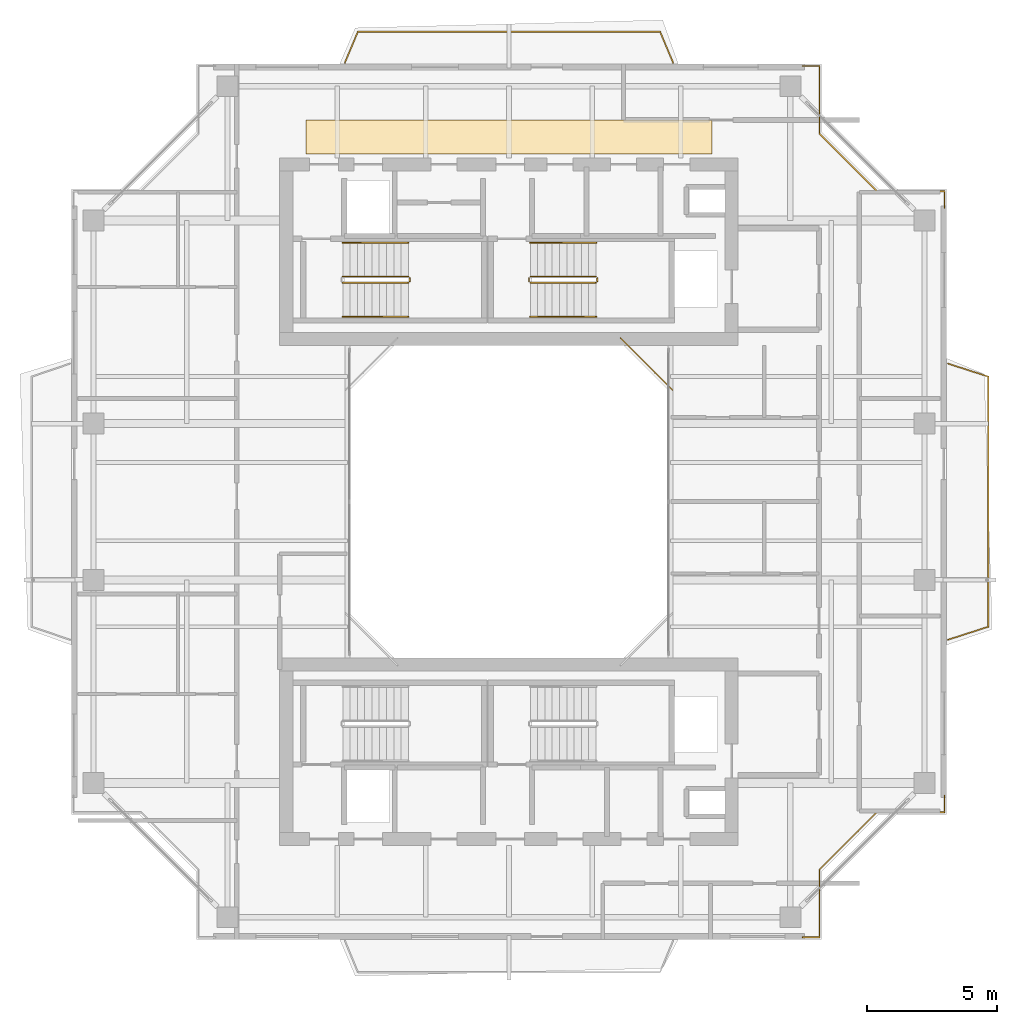
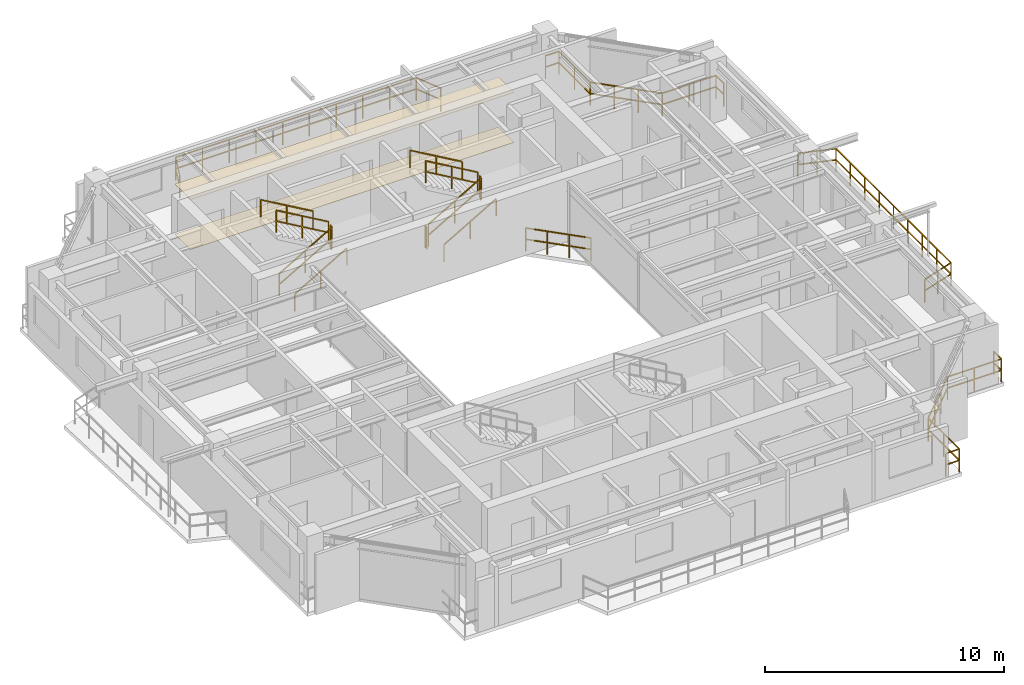
# One storey, part 15 of 15: 16 railings, 2 coverings.
"""IFC4 building model written with IfcOpenShell, lengths in metres."""

from ifc_helpers import new_model, si_unit, direction, frame, origin, origin_2d, place, context, subcontext, project, spatial, polyline, rectangle, outline, extrude, material, layer, layer_set, type_object, element, save


model = new_model("IFC4")

# Units and contexts
model_context = context("Model", 3, precision=1e-05, world=origin(), true_north=direction((0.0, 1.0)))
body_context = subcontext(model_context, "Body", "Model", "MODEL_VIEW")
ifc_project = project(units=[si_unit("LENGTHUNIT", "METRE"), si_unit("AREAUNIT", "SQUARE_METRE"), si_unit("VOLUMEUNIT", "CUBIC_METRE"), si_unit("PLANEANGLEUNIT", "RADIAN"), si_unit("MASSUNIT", "GRAM", prefix="KILO"), si_unit("THERMODYNAMICTEMPERATUREUNIT", "KELVIN"), si_unit("POWERUNIT", "WATT")], contexts=[model_context])

# Site, building, storey
site_placement = place(None, origin())
site = spatial("IfcSite", under=ifc_project, at=site_placement, CompositionType="ELEMENT")
building_placement = place(site_placement, origin())
building = spatial("IfcBuilding", under=site, at=building_placement, Name="Qiaomeng Ring Towers", CompositionType="ELEMENT")
storey_placement = place(building_placement, frame((0.0, 0.0, 200.25)))
storey = spatial("IfcBuildingStorey", under=building, at=storey_placement, Name="L58", CompositionType="ELEMENT", Elevation=200.25)

# Coverings
ifc_material_1 = material(Name="Mineral fibre acoustic ceiling tile", Category="gypsum")
ifc_layer_1 = layer(ifc_material_1, 0.02490234375, Name="Mineral fibre acoustic ceiling tile")
ifc_layer_set_1 = layer_set([ifc_layer_1], Name="Mineral fibre acoustic ceiling tile")
covering_type_1 = type_object("IfcCoveringType", Name="ARC-COV-CEIL1", PredefinedType="CEILING", material=ifc_layer_set_1)
covering_1_placement = place(storey_placement, frame((0.0, 0.0, 2.550048828125)))
element("IfcCovering", 1, at=covering_1_placement, inside=storey, type_object=covering_type_1, Name="L58 Corridor Acoustic Ceiling", PredefinedType="CEILING", context=body_context, shape_type="SweptSolid", body=[
    extrude(outline(polyline([(11.199951171875, 36.35009765625), (11.199951171875, 37.64990234375), (26.800048828125, 37.64990234375), (26.800048828125, 36.35009765625), (11.199951171875, 36.35009765625)])), origin(), (0.0, 0.0, 1.0), 0.02490234375),
])
ifc_material_2 = material(Name="Vitrified porcelain floor tile", Category="ceramic")
ifc_layer_2 = layer(ifc_material_2, 0.02001953125, Name="Vitrified porcelain floor tile")
ifc_layer_set_2 = layer_set([ifc_layer_2], Name="Vitrified porcelain floor tile")
covering_type_2 = type_object("IfcCoveringType", Name="ARC-COV-FLR1", PredefinedType="FLOORING", material=ifc_layer_set_2)
covering_2_placement = place(storey_placement, origin())
element("IfcCovering", 2, at=covering_2_placement, inside=storey, type_object=covering_type_2, Name="L58 Corridor Stone Flooring", PredefinedType="FLOORING", context=body_context, shape_type="SweptSolid", body=[
    extrude(outline(polyline([(11.199951171875, 36.35009765625), (11.199951171875, 37.64990234375), (26.800048828125, 37.64990234375), (26.800048828125, 36.35009765625), (11.199951171875, 36.35009765625)])), origin(), (0.0, 0.0, 1.0), 0.02001953125),
])

# Railings
ifc_material_3 = material(Name="Low-E pale-green laminated safety glass", Category="glass")
railing_type_1 = type_object("IfcRailingType", Name="ARC-RL-BAL1", PredefinedType="BALUSTRADE", material=ifc_material_3)
railing_1_placement = place(storey_placement, frame((25.280029296875, 27.280029296875, 0.0)))
element("IfcRailing", 3, at=railing_1_placement, inside=storey, type_object=railing_type_1, Name="L58 Balustrade ARC-BAL-WELL1-L58-2", PredefinedType="BALUSTRADE", context=body_context, shape_type="SweptSolid", body=[
    extrude(rectangle(XDim=0.048095703125, YDim=0.048095703125, at=origin_2d()), frame((0.0, 0.0, 1.17578125), z_axis=(-0.707106781187, 0.707106781187, 0.0), x_axis=(-0.707106781187, -0.707106781187, 0.0)), (0.0, 0.0, 1.0), 2.828369140625),
    extrude(rectangle(XDim=0.048095703125, YDim=0.048095703125, at=origin_2d()), frame((0.0, 0.0, 0.60009765625), z_axis=(-0.707106781187, 0.707106781187, 0.0), x_axis=(-0.707106781187, -0.707106781187, 0.0)), (0.0, 0.0, 1.0), 2.828369140625),
    extrude(rectangle(XDim=0.0419921875, YDim=0.0419921875, at=origin_2d()), origin(), (0.0, 0.0, 1.0), 1.15185546875),
    extrude(rectangle(XDim=0.0419921875, YDim=0.0419921875, at=origin_2d()), frame((-0.666748046875, 0.666748046875, 0.0)), (0.0, 0.0, 1.0), 1.15185546875),
    extrude(rectangle(XDim=0.0419921875, YDim=0.0419921875, at=origin_2d()), frame((-1.333251953125, 1.333251953125, 0.0)), (0.0, 0.0, 1.0), 1.15185546875),
    extrude(rectangle(XDim=0.0419921875, YDim=0.0419921875, at=origin_2d()), frame((-2.0, 2.0, 0.0)), (0.0, 0.0, 1.0), 1.15185546875),
])
railing_2_placement = place(storey_placement, frame((30.27001953125, 6.280029296875, 0.0)))
element("IfcRailing", 4, at=railing_2_placement, inside=storey, type_object=railing_type_1, Name="L58 Balustrade ARC-BAL-NOTCH1-L58-SE", PredefinedType="BALUSTRADE", context=body_context, shape_type="SweptSolid", body=[
    extrude(rectangle(XDim=0.048095703125, YDim=0.048095703125, at=origin_2d()), frame((0.0, 0.0, 1.17578125), z_axis=(1.0, 0.0, 0.0), x_axis=(0.0, 1.0, 0.0)), (0.0, 0.0, 1.0), 0.64990234375),
    extrude(rectangle(XDim=0.048095703125, YDim=0.048095703125, at=origin_2d()), frame((0.0, 0.0, 0.60009765625), z_axis=(1.0, 0.0, 0.0), x_axis=(0.0, 1.0, 0.0)), (0.0, 0.0, 1.0), 0.64990234375),
    extrude(rectangle(XDim=0.048095703125, YDim=0.048095703125, at=origin_2d()), frame((0.64990234375, 0.0, 1.17578125), z_axis=(0.0, 1.0, 0.0), x_axis=(-1.0, 0.0, 0.0)), (0.0, 0.0, 1.0), 2.599853515625),
    extrude(rectangle(XDim=0.048095703125, YDim=0.048095703125, at=origin_2d()), frame((0.64990234375, 0.0, 0.60009765625), z_axis=(0.0, 1.0, 0.0), x_axis=(-1.0, 0.0, 0.0)), (0.0, 0.0, 1.0), 2.599853515625),
    extrude(rectangle(XDim=0.048095703125, YDim=0.048095703125, at=origin_2d()), frame((0.64990234375, 2.599853515625, 1.17578125), z_axis=(0.707106781187, 0.707106781187, 0.0), x_axis=(-0.707106781187, 0.707106781187, 0.0)), (0.0, 0.0, 1.0), 3.111572265625),
    extrude(rectangle(XDim=0.048095703125, YDim=0.048095703125, at=origin_2d()), frame((0.64990234375, 2.599853515625, 0.60009765625), z_axis=(0.707106781187, 0.707106781187, 0.0), x_axis=(-0.707106781187, 0.707106781187, 0.0)), (0.0, 0.0, 1.0), 3.111572265625),
    extrude(rectangle(XDim=0.048095703125, YDim=0.048095703125, at=origin_2d()), frame((2.85009765625, 4.800048828125, 1.17578125), z_axis=(1.0, 0.0, 0.0), x_axis=(0.0, 1.0, 0.0)), (0.0, 0.0, 1.0), 2.599853515625),
    extrude(rectangle(XDim=0.048095703125, YDim=0.048095703125, at=origin_2d()), frame((2.85009765625, 4.800048828125, 0.60009765625), z_axis=(1.0, 0.0, 0.0), x_axis=(0.0, 1.0, 0.0)), (0.0, 0.0, 1.0), 2.599853515625),
    extrude(rectangle(XDim=0.048095703125, YDim=0.048095703125, at=origin_2d()), frame((5.449951171875, 4.800048828125, 1.17578125), z_axis=(0.0, 1.0, 0.0), x_axis=(-1.0, 0.0, 0.0)), (0.0, 0.0, 1.0), 0.64990234375),
    extrude(rectangle(XDim=0.048095703125, YDim=0.048095703125, at=origin_2d()), frame((5.449951171875, 4.800048828125, 0.60009765625), z_axis=(0.0, 1.0, 0.0), x_axis=(-1.0, 0.0, 0.0)), (0.0, 0.0, 1.0), 0.64990234375),
    extrude(rectangle(XDim=0.0419921875, YDim=0.0419921875, at=origin_2d()), origin(), (0.0, 0.0, 1.0), 1.15185546875),
    extrude(rectangle(XDim=0.0419921875, YDim=0.0419921875, at=origin_2d()), frame((0.64990234375, 0.0, 0.0)), (0.0, 0.0, 1.0), 1.15185546875),
    extrude(rectangle(XDim=0.0419921875, YDim=0.0419921875, at=origin_2d()), frame((0.64990234375, 1.2998046875, 0.0)), (0.0, 0.0, 1.0), 1.15185546875),
    extrude(rectangle(XDim=0.0419921875, YDim=0.0419921875, at=origin_2d()), frame((0.64990234375, 2.599853515625, 0.0)), (0.0, 0.0, 1.0), 1.15185546875),
    extrude(rectangle(XDim=0.0419921875, YDim=0.0419921875, at=origin_2d()), frame((1.38330078125, 3.333251953125, 0.0)), (0.0, 0.0, 1.0), 1.15185546875),
    extrude(rectangle(XDim=0.0419921875, YDim=0.0419921875, at=origin_2d()), frame((2.11669921875, 4.066650390625, 0.0)), (0.0, 0.0, 1.0), 1.15185546875),
    extrude(rectangle(XDim=0.0419921875, YDim=0.0419921875, at=origin_2d()), frame((2.85009765625, 4.800048828125, 0.0)), (0.0, 0.0, 1.0), 1.15185546875),
    extrude(rectangle(XDim=0.0419921875, YDim=0.0419921875, at=origin_2d()), frame((4.14990234375, 4.800048828125, 0.0)), (0.0, 0.0, 1.0), 1.15185546875),
    extrude(rectangle(XDim=0.0419921875, YDim=0.0419921875, at=origin_2d()), frame((5.449951171875, 4.800048828125, 0.0)), (0.0, 0.0, 1.0), 1.15185546875),
    extrude(rectangle(XDim=0.0419921875, YDim=0.0419921875, at=origin_2d()), frame((5.449951171875, 5.449951171875, 0.0)), (0.0, 0.0, 1.0), 1.15185546875),
])
railing_3_placement = place(storey_placement, frame((35.719970703125, 34.27001953125, 0.0)))
element("IfcRailing", 5, at=railing_3_placement, inside=storey, type_object=railing_type_1, Name="L58 Balustrade ARC-BAL-NOTCH1-L58-NE", PredefinedType="BALUSTRADE", context=body_context, shape_type="SweptSolid", body=[
    extrude(rectangle(XDim=0.048095703125, YDim=0.048095703125, at=origin_2d()), frame((0.0, 0.0, 1.17578125), z_axis=(0.0, 1.0, 0.0), x_axis=(-1.0, 0.0, 0.0)), (0.0, 0.0, 1.0), 0.64990234375),
    extrude(rectangle(XDim=0.048095703125, YDim=0.048095703125, at=origin_2d()), frame((0.0, 0.0, 0.60009765625), z_axis=(0.0, 1.0, 0.0), x_axis=(-1.0, 0.0, 0.0)), (0.0, 0.0, 1.0), 0.64990234375),
    extrude(rectangle(XDim=0.048095703125, YDim=0.048095703125, at=origin_2d()), frame((0.0, 0.64990234375, 1.17578125), z_axis=(-1.0, 0.0, 0.0), x_axis=(0.0, -1.0, 0.0)), (0.0, 0.0, 1.0), 2.599853515625),
    extrude(rectangle(XDim=0.048095703125, YDim=0.048095703125, at=origin_2d()), frame((0.0, 0.64990234375, 0.60009765625), z_axis=(-1.0, 0.0, 0.0), x_axis=(0.0, -1.0, 0.0)), (0.0, 0.0, 1.0), 2.599853515625),
    extrude(rectangle(XDim=0.048095703125, YDim=0.048095703125, at=origin_2d()), frame((-2.599853515625, 0.64990234375, 1.17578125), z_axis=(-0.707106781187, 0.707106781187, 0.0), x_axis=(-0.707106781187, -0.707106781187, 0.0)), (0.0, 0.0, 1.0), 3.111572265625),
    extrude(rectangle(XDim=0.048095703125, YDim=0.048095703125, at=origin_2d()), frame((-2.599853515625, 0.64990234375, 0.60009765625), z_axis=(-0.707106781187, 0.707106781187, 0.0), x_axis=(-0.707106781187, -0.707106781187, 0.0)), (0.0, 0.0, 1.0), 3.111572265625),
    extrude(rectangle(XDim=0.048095703125, YDim=0.048095703125, at=origin_2d()), frame((-4.800048828125, 2.85009765625, 1.17578125), z_axis=(0.0, 1.0, 0.0), x_axis=(-1.0, 0.0, 0.0)), (0.0, 0.0, 1.0), 2.599853515625),
    extrude(rectangle(XDim=0.048095703125, YDim=0.048095703125, at=origin_2d()), frame((-4.800048828125, 2.85009765625, 0.60009765625), z_axis=(0.0, 1.0, 0.0), x_axis=(-1.0, 0.0, 0.0)), (0.0, 0.0, 1.0), 2.599853515625),
    extrude(rectangle(XDim=0.048095703125, YDim=0.048095703125, at=origin_2d()), frame((-4.800048828125, 5.449951171875, 1.17578125), z_axis=(-1.0, 0.0, 0.0), x_axis=(0.0, -1.0, 0.0)), (0.0, 0.0, 1.0), 0.64990234375),
    extrude(rectangle(XDim=0.048095703125, YDim=0.048095703125, at=origin_2d()), frame((-4.800048828125, 5.449951171875, 0.60009765625), z_axis=(-1.0, 0.0, 0.0), x_axis=(0.0, -1.0, 0.0)), (0.0, 0.0, 1.0), 0.64990234375),
    extrude(rectangle(XDim=0.0419921875, YDim=0.0419921875, at=origin_2d()), origin(), (0.0, 0.0, 1.0), 1.15185546875),
    extrude(rectangle(XDim=0.0419921875, YDim=0.0419921875, at=origin_2d()), frame((0.0, 0.64990234375, 0.0)), (0.0, 0.0, 1.0), 1.15185546875),
    extrude(rectangle(XDim=0.0419921875, YDim=0.0419921875, at=origin_2d()), frame((-1.2998046875, 0.64990234375, 0.0)), (0.0, 0.0, 1.0), 1.15185546875),
    extrude(rectangle(XDim=0.0419921875, YDim=0.0419921875, at=origin_2d()), frame((-2.599853515625, 0.64990234375, 0.0)), (0.0, 0.0, 1.0), 1.15185546875),
    extrude(rectangle(XDim=0.0419921875, YDim=0.0419921875, at=origin_2d()), frame((-3.333251953125, 1.38330078125, 0.0)), (0.0, 0.0, 1.0), 1.15185546875),
    extrude(rectangle(XDim=0.0419921875, YDim=0.0419921875, at=origin_2d()), frame((-4.066650390625, 2.11669921875, 0.0)), (0.0, 0.0, 1.0), 1.15185546875),
    extrude(rectangle(XDim=0.0419921875, YDim=0.0419921875, at=origin_2d()), frame((-4.800048828125, 2.85009765625, 0.0)), (0.0, 0.0, 1.0), 1.15185546875),
    extrude(rectangle(XDim=0.0419921875, YDim=0.0419921875, at=origin_2d()), frame((-4.800048828125, 4.14990234375, 0.0)), (0.0, 0.0, 1.0), 1.15185546875),
    extrude(rectangle(XDim=0.0419921875, YDim=0.0419921875, at=origin_2d()), frame((-4.800048828125, 5.449951171875, 0.0)), (0.0, 0.0, 1.0), 1.15185546875),
    extrude(rectangle(XDim=0.0419921875, YDim=0.0419921875, at=origin_2d()), frame((-5.449951171875, 5.449951171875, 0.0)), (0.0, 0.0, 1.0), 1.15185546875),
])
railing_4_placement = place(storey_placement, frame((35.85009765625, 17.699951171875, 0.0)))
element("IfcRailing", 6, at=railing_4_placement, inside=storey, type_object=railing_type_1, Name="L58 Balustrade ARC-BAL-L58-T1-E", PredefinedType="BALUSTRADE", context=body_context, shape_type="SweptSolid", body=[
    extrude(rectangle(XDim=0.048095703125, YDim=0.048095703125, at=origin_2d()), frame((0.0, 0.0, 1.17578125), z_axis=(0.951697313001, 0.307037822468, 0.0), x_axis=(-0.307037822468, 0.951697313001, 0.0)), (0.0, 0.0, 1.0), 1.62841796875),
    extrude(rectangle(XDim=0.048095703125, YDim=0.048095703125, at=origin_2d()), frame((0.0, 0.0, 0.60009765625), z_axis=(0.951697313001, 0.307037822468, 0.0), x_axis=(-0.307037822468, 0.951697313001, 0.0)), (0.0, 0.0, 1.0), 1.62841796875),
    extrude(rectangle(XDim=0.048095703125, YDim=0.048095703125, at=origin_2d()), frame((1.5498046875, 0.5, 1.17578125), z_axis=(0.0, 1.0, 0.0), x_axis=(-1.0, 0.0, 0.0)), (0.0, 0.0, 1.0), 9.60009765625),
    extrude(rectangle(XDim=0.048095703125, YDim=0.048095703125, at=origin_2d()), frame((1.5498046875, 0.5, 0.60009765625), z_axis=(0.0, 1.0, 0.0), x_axis=(-1.0, 0.0, 0.0)), (0.0, 0.0, 1.0), 9.60009765625),
    extrude(rectangle(XDim=0.048095703125, YDim=0.048095703125, at=origin_2d()), frame((1.5498046875, 10.10009765625, 1.17578125), z_axis=(-0.951697313001, 0.307037822468, 0.0), x_axis=(-0.307037822468, -0.951697313001, 0.0)), (0.0, 0.0, 1.0), 1.62841796875),
    extrude(rectangle(XDim=0.048095703125, YDim=0.048095703125, at=origin_2d()), frame((1.5498046875, 10.10009765625, 0.60009765625), z_axis=(-0.951697313001, 0.307037822468, 0.0), x_axis=(-0.307037822468, -0.951697313001, 0.0)), (0.0, 0.0, 1.0), 1.62841796875),
    extrude(rectangle(XDim=0.0419921875, YDim=0.0419921875, at=origin_2d()), origin(), (0.0, 0.0, 1.0), 1.15185546875),
    extrude(rectangle(XDim=0.0419921875, YDim=0.0419921875, at=origin_2d()), frame((0.77490234375, 0.25, 0.0)), (0.0, 0.0, 1.0), 1.15185546875),
    extrude(rectangle(XDim=0.0419921875, YDim=0.0419921875, at=origin_2d()), frame((1.5498046875, 0.5, 0.0)), (0.0, 0.0, 1.0), 1.15185546875),
    extrude(rectangle(XDim=0.0419921875, YDim=0.0419921875, at=origin_2d()), frame((1.5498046875, 1.699951171875, 0.0)), (0.0, 0.0, 1.0), 1.15185546875),
    extrude(rectangle(XDim=0.0419921875, YDim=0.0419921875, at=origin_2d()), frame((1.5498046875, 2.89990234375, 0.0)), (0.0, 0.0, 1.0), 1.15185546875),
    extrude(rectangle(XDim=0.0419921875, YDim=0.0419921875, at=origin_2d()), frame((1.5498046875, 4.10009765625, 0.0)), (0.0, 0.0, 1.0), 1.15185546875),
    extrude(rectangle(XDim=0.0419921875, YDim=0.0419921875, at=origin_2d()), frame((1.5498046875, 5.300048828125, 0.0)), (0.0, 0.0, 1.0), 1.15185546875),
    extrude(rectangle(XDim=0.0419921875, YDim=0.0419921875, at=origin_2d()), frame((1.5498046875, 6.5, 0.0)), (0.0, 0.0, 1.0), 1.15185546875),
    extrude(rectangle(XDim=0.0419921875, YDim=0.0419921875, at=origin_2d()), frame((1.5498046875, 7.7001953125, 0.0)), (0.0, 0.0, 1.0), 1.15185546875),
    extrude(rectangle(XDim=0.0419921875, YDim=0.0419921875, at=origin_2d()), frame((1.5498046875, 8.900146484375, 0.0)), (0.0, 0.0, 1.0), 1.15185546875),
    extrude(rectangle(XDim=0.0419921875, YDim=0.0419921875, at=origin_2d()), frame((1.5498046875, 10.10009765625, 0.0)), (0.0, 0.0, 1.0), 1.15185546875),
    extrude(rectangle(XDim=0.0419921875, YDim=0.0419921875, at=origin_2d()), frame((0.77490234375, 10.35009765625, 0.0)), (0.0, 0.0, 1.0), 1.15185546875),
    extrude(rectangle(XDim=0.0419921875, YDim=0.0419921875, at=origin_2d()), frame((0.0, 10.60009765625, 0.0)), (0.0, 0.0, 1.0), 1.15185546875),
])
railing_5_placement = place(storey_placement, frame((12.699951171875, 39.85009765625, 0.0)))
element("IfcRailing", 7, at=railing_5_placement, inside=storey, type_object=railing_type_1, Name="L58 Balustrade ARC-BAL-L58-T1-N", PredefinedType="BALUSTRADE", context=body_context, shape_type="SweptSolid", body=[
    extrude(rectangle(XDim=0.048095703125, YDim=0.048095703125, at=origin_2d()), frame((0.0, 0.0, 1.17578125), z_axis=(0.387380404006, 0.921919965394, 0.0), x_axis=(-0.921919965394, 0.387380404006, 0.0)), (0.0, 0.0, 1.0), 1.290771484375),
    extrude(rectangle(XDim=0.048095703125, YDim=0.048095703125, at=origin_2d()), frame((0.0, 0.0, 0.60009765625), z_axis=(0.387380404006, 0.921919965394, 0.0), x_axis=(-0.921919965394, 0.387380404006, 0.0)), (0.0, 0.0, 1.0), 1.290771484375),
    extrude(rectangle(XDim=0.048095703125, YDim=0.048095703125, at=origin_2d()), frame((0.5, 1.18994140625, 1.17578125), z_axis=(1.0, 0.0, 0.0), x_axis=(0.0, 1.0, 0.0)), (0.0, 0.0, 1.0), 11.60009765625),
    extrude(rectangle(XDim=0.048095703125, YDim=0.048095703125, at=origin_2d()), frame((0.5, 1.18994140625, 0.60009765625), z_axis=(1.0, 0.0, 0.0), x_axis=(0.0, 1.0, 0.0)), (0.0, 0.0, 1.0), 11.60009765625),
    extrude(rectangle(XDim=0.048095703125, YDim=0.048095703125, at=origin_2d()), frame((12.10009765625, 1.18994140625, 1.17578125), z_axis=(0.387380404006, -0.921919965394, 0.0), x_axis=(0.921919965394, 0.387380404006, 0.0)), (0.0, 0.0, 1.0), 1.290771484375),
    extrude(rectangle(XDim=0.048095703125, YDim=0.048095703125, at=origin_2d()), frame((12.10009765625, 1.18994140625, 0.60009765625), z_axis=(0.387380404006, -0.921919965394, 0.0), x_axis=(0.921919965394, 0.387380404006, 0.0)), (0.0, 0.0, 1.0), 1.290771484375),
    extrude(rectangle(XDim=0.0419921875, YDim=0.0419921875, at=origin_2d()), origin(), (0.0, 0.0, 1.0), 1.15185546875),
    extrude(rectangle(XDim=0.0419921875, YDim=0.0419921875, at=origin_2d()), frame((0.5, 1.18994140625, 0.0)), (0.0, 0.0, 1.0), 1.15185546875),
    extrude(rectangle(XDim=0.0419921875, YDim=0.0419921875, at=origin_2d()), frame((1.788818359375, 1.18994140625, 0.0)), (0.0, 0.0, 1.0), 1.15185546875),
    extrude(rectangle(XDim=0.0419921875, YDim=0.0419921875, at=origin_2d()), frame((3.077880859375, 1.18994140625, 0.0)), (0.0, 0.0, 1.0), 1.15185546875),
    extrude(rectangle(XDim=0.0419921875, YDim=0.0419921875, at=origin_2d()), frame((4.36669921875, 1.18994140625, 0.0)), (0.0, 0.0, 1.0), 1.15185546875),
    extrude(rectangle(XDim=0.0419921875, YDim=0.0419921875, at=origin_2d()), frame((5.655517578125, 1.18994140625, 0.0)), (0.0, 0.0, 1.0), 1.15185546875),
    extrude(rectangle(XDim=0.0419921875, YDim=0.0419921875, at=origin_2d()), frame((6.944580078125, 1.18994140625, 0.0)), (0.0, 0.0, 1.0), 1.15185546875),
    extrude(rectangle(XDim=0.0419921875, YDim=0.0419921875, at=origin_2d()), frame((8.2333984375, 1.18994140625, 0.0)), (0.0, 0.0, 1.0), 1.15185546875),
    extrude(rectangle(XDim=0.0419921875, YDim=0.0419921875, at=origin_2d()), frame((9.522216796875, 1.18994140625, 0.0)), (0.0, 0.0, 1.0), 1.15185546875),
    extrude(rectangle(XDim=0.0419921875, YDim=0.0419921875, at=origin_2d()), frame((10.811279296875, 1.18994140625, 0.0)), (0.0, 0.0, 1.0), 1.15185546875),
    extrude(rectangle(XDim=0.0419921875, YDim=0.0419921875, at=origin_2d()), frame((12.10009765625, 1.18994140625, 0.0)), (0.0, 0.0, 1.0), 1.15185546875),
    extrude(rectangle(XDim=0.0419921875, YDim=0.0419921875, at=origin_2d()), frame((12.60009765625, 0.0, 0.0)), (0.0, 0.0, 1.0), 1.15185546875),
])
ifc_material_4 = material(Name="Galvanised steel", Category="steel")
railing_type_2 = type_object("IfcRailingType", Name="ARC-RL-GUARD", PredefinedType="GUARDRAIL", material=ifc_material_4)
railing_6_placement = place(storey_placement, frame((12.6201171875, 31.39990234375, 0.16259765625)))
element("IfcRailing", 8, at=railing_6_placement, inside=storey, type_object=railing_type_2, Name="L58 ST1 stair guard 1", PredefinedType="GUARDRAIL", context=body_context, shape_type="SweptSolid", body=[
    extrude(rectangle(XDim=0.048095703125, YDim=0.048095703125, at=origin_2d()), frame((0.0, 0.0, 1.1259765625), z_axis=(0.864892226395, 0.0, 0.501957604506), x_axis=(0.0, 1.0, 0.0)), (0.0, 0.0, 1.0), 2.913330078125),
    extrude(rectangle(XDim=0.048095703125, YDim=0.048095703125, at=origin_2d()), frame((0.0, 0.0, 0.574951171875), z_axis=(0.864892226395, 0.0, 0.501957604506), x_axis=(0.0, 1.0, 0.0)), (0.0, 0.0, 1.0), 2.913330078125),
    extrude(rectangle(XDim=0.0419921875, YDim=0.0419921875, at=origin_2d()), origin(), (0.0, 0.0, 1.0), 1.101806640625),
    extrude(rectangle(XDim=0.0419921875, YDim=0.0419921875, at=origin_2d()), frame((1.259765625, 0.0, 0.731201171875)), (0.0, 0.0, 1.0), 1.101806640625),
    extrude(rectangle(XDim=0.0419921875, YDim=0.0419921875, at=origin_2d()), frame((2.519775390625, 0.0, 1.46240234375)), (0.0, 0.0, 1.0), 1.101806640625),
])
railing_7_placement = place(storey_placement, frame((15.18994140625, 31.449951171875, 1.625)))
element("IfcRailing", 9, at=railing_7_placement, inside=storey, type_object=railing_type_2, Name="L58 ST1 stair guard 2", PredefinedType="GUARDRAIL", context=body_context, shape_type="SweptSolid", body=[
    extrude(rectangle(XDim=0.048095703125, YDim=0.048095703125, at=origin_2d()), frame((0.0, 0.0, 1.1259765625), z_axis=(0.0, 1.0, 0.0), x_axis=(-1.0, 0.0, 0.0)), (0.0, 0.0, 1.0), 0.14013671875),
    extrude(rectangle(XDim=0.048095703125, YDim=0.048095703125, at=origin_2d()), frame((0.0, 0.0, 0.574951171875), z_axis=(0.0, 1.0, 0.0), x_axis=(-1.0, 0.0, 0.0)), (0.0, 0.0, 1.0), 0.14013671875),
    extrude(rectangle(XDim=0.0419921875, YDim=0.0419921875, at=origin_2d()), origin(), (0.0, 0.0, 1.0), 1.101806640625),
    extrude(rectangle(XDim=0.0419921875, YDim=0.0419921875, at=origin_2d()), frame((0.0, 0.14013671875, 0.0)), (0.0, 0.0, 1.0), 1.101806640625),
])
railing_8_placement = place(storey_placement, frame((15.139892578125, 31.639892578125, 1.78759765625)))
element("IfcRailing", 10, at=railing_8_placement, inside=storey, type_object=railing_type_2, Name="L58 ST1 stair guard 3", PredefinedType="GUARDRAIL", context=body_context, shape_type="SweptSolid", body=[
    extrude(rectangle(XDim=0.048095703125, YDim=0.048095703125, at=origin_2d()), frame((0.0, 0.0, 1.1259765625), z_axis=(-0.864892226395, 0.0, 0.501957604506), x_axis=(0.0, -1.0, 0.0)), (0.0, 0.0, 1.0), 2.913330078125),
    extrude(rectangle(XDim=0.048095703125, YDim=0.048095703125, at=origin_2d()), frame((0.0, 0.0, 0.574951171875), z_axis=(-0.864892226395, 0.0, 0.501957604506), x_axis=(0.0, -1.0, 0.0)), (0.0, 0.0, 1.0), 2.913330078125),
    extrude(rectangle(XDim=0.0419921875, YDim=0.0419921875, at=origin_2d()), origin(), (0.0, 0.0, 1.0), 1.101806640625),
    extrude(rectangle(XDim=0.0419921875, YDim=0.0419921875, at=origin_2d()), frame((-1.259765625, 0.0, 0.731201171875)), (0.0, 0.0, 1.0), 1.101806640625),
    extrude(rectangle(XDim=0.0419921875, YDim=0.0419921875, at=origin_2d()), frame((-2.519775390625, 0.0, 1.46240234375)), (0.0, 0.0, 1.0), 1.101806640625),
])
railing_9_placement = place(storey_placement, frame((19.820068359375, 31.39990234375, 0.16259765625)))
element("IfcRailing", 11, at=railing_9_placement, inside=storey, type_object=railing_type_2, Name="L58 ST2 stair guard 1", PredefinedType="GUARDRAIL", context=body_context, shape_type="SweptSolid", body=[
    extrude(rectangle(XDim=0.048095703125, YDim=0.048095703125, at=origin_2d()), frame((0.0, 0.0, 1.1259765625), z_axis=(0.864913338283, 0.0, 0.50192122615), x_axis=(0.0, 1.0, 0.0)), (0.0, 0.0, 1.0), 2.91357421875),
    extrude(rectangle(XDim=0.048095703125, YDim=0.048095703125, at=origin_2d()), frame((0.0, 0.0, 0.574951171875), z_axis=(0.864913338283, 0.0, 0.50192122615), x_axis=(0.0, 1.0, 0.0)), (0.0, 0.0, 1.0), 2.91357421875),
    extrude(rectangle(XDim=0.0419921875, YDim=0.0419921875, at=origin_2d()), origin(), (0.0, 0.0, 1.0), 1.101806640625),
    extrude(rectangle(XDim=0.0419921875, YDim=0.0419921875, at=origin_2d()), frame((1.260009765625, 0.0, 0.731201171875)), (0.0, 0.0, 1.0), 1.101806640625),
    extrude(rectangle(XDim=0.0419921875, YDim=0.0419921875, at=origin_2d()), frame((2.52001953125, 0.0, 1.46240234375)), (0.0, 0.0, 1.0), 1.101806640625),
])
railing_10_placement = place(storey_placement, frame((22.389892578125, 31.449951171875, 1.625)))
element("IfcRailing", 12, at=railing_10_placement, inside=storey, type_object=railing_type_2, Name="L58 ST2 stair guard 2", PredefinedType="GUARDRAIL", context=body_context, shape_type="SweptSolid", body=[
    extrude(rectangle(XDim=0.048095703125, YDim=0.048095703125, at=origin_2d()), frame((0.0, 0.0, 1.1259765625), z_axis=(0.0, 1.0, 0.0), x_axis=(-1.0, 0.0, 0.0)), (0.0, 0.0, 1.0), 0.14013671875),
    extrude(rectangle(XDim=0.048095703125, YDim=0.048095703125, at=origin_2d()), frame((0.0, 0.0, 0.574951171875), z_axis=(0.0, 1.0, 0.0), x_axis=(-1.0, 0.0, 0.0)), (0.0, 0.0, 1.0), 0.14013671875),
    extrude(rectangle(XDim=0.0419921875, YDim=0.0419921875, at=origin_2d()), origin(), (0.0, 0.0, 1.0), 1.101806640625),
    extrude(rectangle(XDim=0.0419921875, YDim=0.0419921875, at=origin_2d()), frame((0.0, 0.14013671875, 0.0)), (0.0, 0.0, 1.0), 1.101806640625),
])
railing_11_placement = place(storey_placement, frame((22.340087890625, 31.639892578125, 1.78759765625)))
element("IfcRailing", 13, at=railing_11_placement, inside=storey, type_object=railing_type_2, Name="L58 ST2 stair guard 3", PredefinedType="GUARDRAIL", context=body_context, shape_type="SweptSolid", body=[
    extrude(rectangle(XDim=0.048095703125, YDim=0.048095703125, at=origin_2d()), frame((0.0, 0.0, 1.1259765625), z_axis=(-0.864913338283, 0.0, 0.50192122615), x_axis=(0.0, -1.0, 0.0)), (0.0, 0.0, 1.0), 2.91357421875),
    extrude(rectangle(XDim=0.048095703125, YDim=0.048095703125, at=origin_2d()), frame((0.0, 0.0, 0.574951171875), z_axis=(-0.864913338283, 0.0, 0.50192122615), x_axis=(0.0, -1.0, 0.0)), (0.0, 0.0, 1.0), 2.91357421875),
    extrude(rectangle(XDim=0.0419921875, YDim=0.0419921875, at=origin_2d()), origin(), (0.0, 0.0, 1.0), 1.101806640625),
    extrude(rectangle(XDim=0.0419921875, YDim=0.0419921875, at=origin_2d()), frame((-1.260009765625, 0.0, 0.731201171875)), (0.0, 0.0, 1.0), 1.101806640625),
    extrude(rectangle(XDim=0.0419921875, YDim=0.0419921875, at=origin_2d()), frame((-2.52001953125, 0.0, 1.46240234375)), (0.0, 0.0, 1.0), 1.101806640625),
])
railing_12_placement = place(storey_placement, frame((19.77001953125, 31.449951171875, 0.0)))
element("IfcRailing", 14, at=railing_12_placement, inside=storey, type_object=railing_type_2, Name="L58 ST2 stair guard 4", PredefinedType="GUARDRAIL", context=body_context, shape_type="SweptSolid", body=[
    extrude(rectangle(XDim=0.048095703125, YDim=0.048095703125, at=origin_2d()), frame((0.0, 0.0, 1.1259765625), z_axis=(0.0, 1.0, 0.0), x_axis=(-1.0, 0.0, 0.0)), (0.0, 0.0, 1.0), 0.14013671875),
    extrude(rectangle(XDim=0.048095703125, YDim=0.048095703125, at=origin_2d()), frame((0.0, 0.0, 0.574951171875), z_axis=(0.0, 1.0, 0.0), x_axis=(-1.0, 0.0, 0.0)), (0.0, 0.0, 1.0), 0.14013671875),
    extrude(rectangle(XDim=0.0419921875, YDim=0.0419921875, at=origin_2d()), origin(), (0.0, 0.0, 1.0), 1.101806640625),
    extrude(rectangle(XDim=0.0419921875, YDim=0.0419921875, at=origin_2d()), frame((0.0, 0.14013671875, 0.0)), (0.0, 0.0, 1.0), 1.101806640625),
])
ifc_material_5 = material(Name="Stainless steel 316", Category="steel")
railing_type_3 = type_object("IfcRailingType", Name="ARC-RL-HAND", PredefinedType="HANDRAIL", material=ifc_material_5)
railing_13_placement = place(storey_placement, frame((12.6201171875, 30.10009765625, 0.16259765625)))
element("IfcRailing", 15, at=railing_13_placement, inside=storey, type_object=railing_type_3, Name="L58 ST1 stair handrail 1", PredefinedType="HANDRAIL", context=body_context, shape_type="SweptSolid", body=[
    extrude(rectangle(XDim=0.048095703125, YDim=0.048095703125, at=origin_2d()), frame((0.0, 0.0, 0.8759765625), z_axis=(0.864892226395, 0.0, 0.501957604506), x_axis=(0.0, 1.0, 0.0)), (0.0, 0.0, 1.0), 2.913330078125),
    extrude(rectangle(XDim=0.0419921875, YDim=0.0419921875, at=origin_2d()), origin(), (0.0, 0.0, 1.0), 0.851806640625),
    extrude(rectangle(XDim=0.0419921875, YDim=0.0419921875, at=origin_2d()), frame((1.259765625, 0.0, 0.731201171875)), (0.0, 0.0, 1.0), 0.851806640625),
    extrude(rectangle(XDim=0.0419921875, YDim=0.0419921875, at=origin_2d()), frame((2.519775390625, 0.0, 1.46240234375)), (0.0, 0.0, 1.0), 0.851806640625),
])
railing_14_placement = place(storey_placement, frame((15.139892578125, 32.93994140625, 1.78759765625)))
element("IfcRailing", 16, at=railing_14_placement, inside=storey, type_object=railing_type_3, Name="L58 ST1 stair handrail 2", PredefinedType="HANDRAIL", context=body_context, shape_type="SweptSolid", body=[
    extrude(rectangle(XDim=0.048095703125, YDim=0.048095703125, at=origin_2d()), frame((0.0, 0.0, 0.8759765625), z_axis=(-0.864892226395, 0.0, 0.501957604506), x_axis=(0.0, -1.0, 0.0)), (0.0, 0.0, 1.0), 2.913330078125),
    extrude(rectangle(XDim=0.0419921875, YDim=0.0419921875, at=origin_2d()), origin(), (0.0, 0.0, 1.0), 0.851806640625),
    extrude(rectangle(XDim=0.0419921875, YDim=0.0419921875, at=origin_2d()), frame((-1.259765625, 0.0, 0.731201171875)), (0.0, 0.0, 1.0), 0.851806640625),
    extrude(rectangle(XDim=0.0419921875, YDim=0.0419921875, at=origin_2d()), frame((-2.519775390625, 0.0, 1.46240234375)), (0.0, 0.0, 1.0), 0.851806640625),
])
railing_15_placement = place(storey_placement, frame((19.820068359375, 30.10009765625, 0.16259765625)))
element("IfcRailing", 17, at=railing_15_placement, inside=storey, type_object=railing_type_3, Name="L58 ST2 stair handrail 1", PredefinedType="HANDRAIL", context=body_context, shape_type="SweptSolid", body=[
    extrude(rectangle(XDim=0.048095703125, YDim=0.048095703125, at=origin_2d()), frame((0.0, 0.0, 0.8759765625), z_axis=(0.864913338283, 0.0, 0.50192122615), x_axis=(0.0, 1.0, 0.0)), (0.0, 0.0, 1.0), 2.91357421875),
    extrude(rectangle(XDim=0.0419921875, YDim=0.0419921875, at=origin_2d()), origin(), (0.0, 0.0, 1.0), 0.851806640625),
    extrude(rectangle(XDim=0.0419921875, YDim=0.0419921875, at=origin_2d()), frame((1.260009765625, 0.0, 0.731201171875)), (0.0, 0.0, 1.0), 0.851806640625),
    extrude(rectangle(XDim=0.0419921875, YDim=0.0419921875, at=origin_2d()), frame((2.52001953125, 0.0, 1.46240234375)), (0.0, 0.0, 1.0), 0.851806640625),
])
railing_16_placement = place(storey_placement, frame((22.340087890625, 32.93994140625, 1.78759765625)))
element("IfcRailing", 18, at=railing_16_placement, inside=storey, type_object=railing_type_3, Name="L58 ST2 stair handrail 2", PredefinedType="HANDRAIL", context=body_context, shape_type="SweptSolid", body=[
    extrude(rectangle(XDim=0.048095703125, YDim=0.048095703125, at=origin_2d()), frame((0.0, 0.0, 0.8759765625), z_axis=(-0.864913338283, 0.0, 0.50192122615), x_axis=(0.0, -1.0, 0.0)), (0.0, 0.0, 1.0), 2.91357421875),
    extrude(rectangle(XDim=0.0419921875, YDim=0.0419921875, at=origin_2d()), origin(), (0.0, 0.0, 1.0), 0.851806640625),
    extrude(rectangle(XDim=0.0419921875, YDim=0.0419921875, at=origin_2d()), frame((-1.260009765625, 0.0, 0.731201171875)), (0.0, 0.0, 1.0), 0.851806640625),
    extrude(rectangle(XDim=0.0419921875, YDim=0.0419921875, at=origin_2d()), frame((-2.52001953125, 0.0, 1.46240234375)), (0.0, 0.0, 1.0), 0.851806640625),
])

save(model, "model.ifc")
